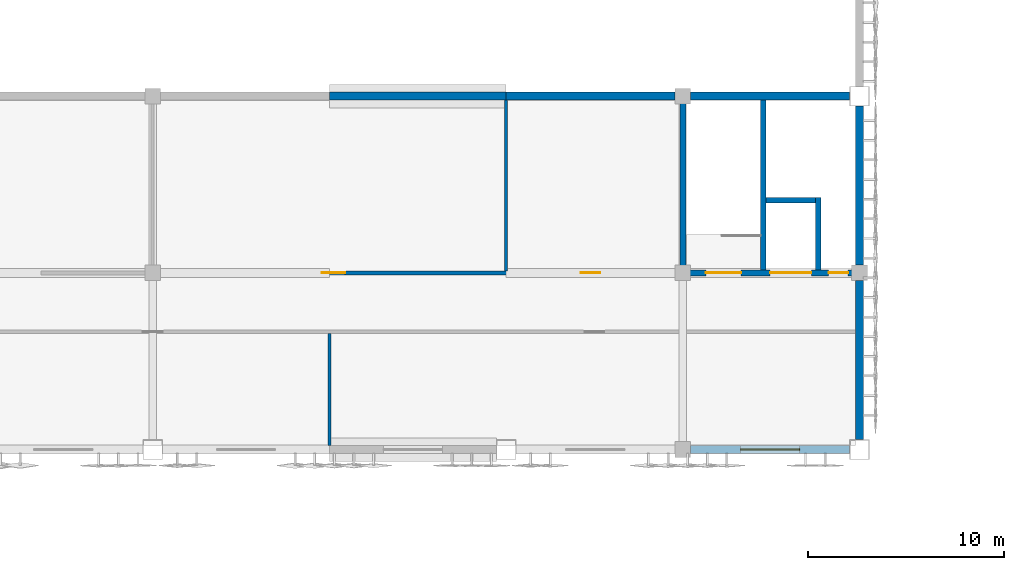
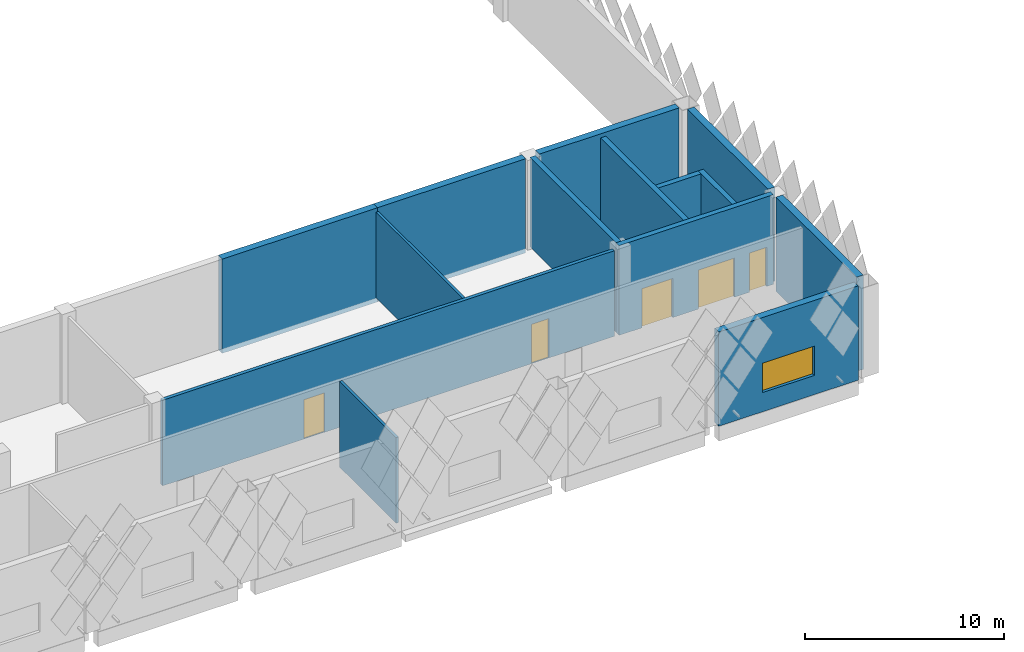
# One storey, part 116 of 185: 14 walls, 5 doors, 1 window, 6 openings.
"""IFC4 building model written with IfcOpenShell, lengths in metres."""

from ifc_helpers import new_model, si_unit, direction, frame, frame_2d, origin, place, context, subcontext, project, spatial, rectangle, extrude, material, layer, layer_set, type_object, element, fill, save


model = new_model("IFC4")

# Units and contexts
model_context = context("Model", 3, precision=1e-05, world=origin(), true_north=direction((0.0, 1.0)))
body_context = subcontext(model_context, "Body", "Model", "MODEL_VIEW")
ifc_project = project(units=[si_unit("LENGTHUNIT", "METRE"), si_unit("AREAUNIT", "SQUARE_METRE"), si_unit("VOLUMEUNIT", "CUBIC_METRE"), si_unit("PLANEANGLEUNIT", "RADIAN"), si_unit("MASSUNIT", "GRAM", prefix="KILO")], contexts=[model_context])

# Site, building, storey
site_placement = place(None, origin())
site = spatial("IfcSite", under=ifc_project, at=site_placement, CompositionType="ELEMENT")
building_placement = place(site_placement, origin())
building = spatial("IfcBuilding", under=site, at=building_placement, Name="Opaline Strait Convention Centre", CompositionType="ELEMENT")
storey_placement = place(building_placement, frame((0.0, 0.0, 6.0)))
storey = spatial("IfcBuildingStorey", under=building, at=storey_placement, Name="L01", CompositionType="ELEMENT", Elevation=6.0)

# Wall, opening, window
ifc_material_1 = material(Name="Concrete C40", Category="concrete")
ifc_layer_1 = layer(ifc_material_1, 0.25)
ifc_material_2 = material(Name="Mineral wool insulation")
ifc_layer_2 = layer(ifc_material_2, 0.10009765625)
ifc_material_3 = material(Name="Gypsum board lining")
ifc_layer_3 = layer(ifc_material_3, 0.050048828125)
ifc_layer_set_1 = layer_set([ifc_layer_1, ifc_layer_2, ifc_layer_3], Name="Concrete C40, Mineral wool insulation, Gypsum board lining")
wall_type_1 = type_object("IfcWallType", Name="External wall RC 400 insulated", PredefinedType="SOLIDWALL", material=ifc_layer_set_1)
wall_1_placement = place(storey_placement, frame((252.39990234375, 54.0, -0.280029296875), z_axis=(0.0, 0.0, 1.0), x_axis=(1.0, 0.0, 0.0)))
wall_1 = element("IfcWall", 1, at=wall_1_placement, inside=storey, type_object=wall_type_1, Name="External wall S18", PredefinedType="SOLIDWALL", context=body_context, shape_type="SweptSolid", body=[
    extrude(rectangle(XDim=8.10009765625, YDim=0.39990234375, at=frame_2d((4.050048828125, 0.0))), origin(), (0.0, 0.0, 1.0), 5.780029296875),
])
opening_1_placement = place(wall_1_placement, frame((2.550048828125, 0.0, 1.179931640625)))
opening_1 = element("IfcOpeningElement", 2, at=opening_1_placement, cuts=wall_1, Name="Opening XWN2", PredefinedType="OPENING", context=body_context, shape_type="SweptSolid", body=[
    extrude(rectangle(XDim=3.0, YDim=1.800048828125, at=frame_2d((1.5, 0.89990234375))), frame((0.0, 0.2099609375, 0.0), z_axis=(0.0, -1.0, 0.0), x_axis=(1.0, 0.0, 0.0)), (0.0, 0.0, 1.0), 0.419921875),
])
ifc_material_4 = material(Name="Double glazed unit low emissivity", Category="glass")
window_type = type_object("IfcWindowType", Name="Strip window 3000 x 1800", PartitioningType="TRIPLE_PANEL_VERTICAL", PredefinedType="WINDOW", material=ifc_material_4)
window_placement = place(opening_1_placement, origin())
window = element("IfcWindow", 3, at=window_placement, inside=storey, type_object=window_type, Name="Strip window 18", OverallHeight=1.800048828125, OverallWidth=3.0, PartitioningType="TRIPLE_PANEL_VERTICAL", PredefinedType="WINDOW", context=body_context, shape_type="SweptSolid", body=[
    extrude(rectangle(XDim=3.0, YDim=1.800048828125, at=frame_2d((1.5, 0.89990234375))), frame((0.0, 0.030029296875, 0.0), z_axis=(0.0, -1.0, 0.0), x_axis=(1.0, 0.0, 0.0)), (0.0, 0.0, 1.0), 0.06005859375),
])
fill(opening_1, window)

# Walls
wall_2_placement = place(storey_placement, frame((261.0, 54.5, -0.280029296875), z_axis=(0.0, 0.0, 1.0), x_axis=(0.0, 1.0, 0.0)))
element("IfcWall", 4, at=wall_2_placement, inside=storey, type_object=wall_type_1, Name="External wall E1", PredefinedType="SOLIDWALL", context=body_context, shape_type="SweptSolid", body=[
    extrude(rectangle(XDim=8.10009765625, YDim=0.39990234375, at=frame_2d((4.050048828125, 0.0))), origin(), (0.0, 0.0, 1.0), 5.780029296875),
])
ifc_layer_4 = layer(ifc_material_1, 0.300048828125)
ifc_layer_5 = layer(ifc_material_2, 0.050048828125)
ifc_layer_6 = layer(ifc_material_3, 0.050048828125)
ifc_layer_set_2 = layer_set([ifc_layer_4, ifc_layer_5, ifc_layer_6], Name="Concrete C40, Mineral wool insulation, Gypsum board lining")
wall_type_2 = type_object("IfcWallType", Name="External wall RC 400 stair core", PredefinedType="SOLIDWALL", material=ifc_layer_set_2)
wall_3_placement = place(storey_placement, frame((261.0, 63.39990234375, -0.280029296875), z_axis=(0.0, 0.0, 1.0), x_axis=(0.0, 1.0, 0.0)))
element("IfcWall", 5, at=wall_3_placement, inside=storey, type_object=wall_type_2, Name="External wall E2", PredefinedType="SOLIDWALL", context=body_context, shape_type="SweptSolid", body=[
    extrude(rectangle(XDim=8.10009765625, YDim=0.39990234375, at=frame_2d((4.050048828125, 0.0))), origin(), (0.0, 0.0, 1.0), 5.780029296875),
])
ifc_layer_7 = layer(ifc_material_1, 0.300048828125)
ifc_material_5 = material(Name="Cement plaster")
ifc_layer_8 = layer(ifc_material_5, 0.050048828125)
ifc_layer_9 = layer(ifc_material_5, 0.050048828125)
ifc_layer_set_3 = layer_set([ifc_layer_7, ifc_layer_8, ifc_layer_9], Name="Concrete C40, Cement plaster, Cement plaster")
wall_type_3 = type_object("IfcWallType", Name="Hall compartment wall 400", PredefinedType="SOLIDWALL", material=ifc_layer_set_3)
wall_4_placement = place(storey_placement, frame((234.0, 72.0, -0.280029296875), z_axis=(0.0, 0.0, 1.0), x_axis=(1.0, 0.0, 0.0)))
element("IfcWall", 6, at=wall_4_placement, inside=storey, type_object=wall_type_3, Name="Hall south wall", PredefinedType="SOLIDWALL", context=body_context, shape_type="SweptSolid", body=[
    extrude(rectangle(XDim=9.0, YDim=0.39990234375, at=frame_2d((4.5, 0.0))), origin(), (0.0, 0.0, 1.0), 5.780029296875),
])
wall_5_placement = place(storey_placement, frame((243.0, 72.0, -0.280029296875), z_axis=(0.0, 0.0, 1.0), x_axis=(1.0, 0.0, 0.0)))
element("IfcWall", 7, at=wall_5_placement, inside=storey, type_object=wall_type_3, Name="Hall south wall", PredefinedType="SOLIDWALL", context=body_context, shape_type="SweptSolid", body=[
    extrude(rectangle(XDim=8.60009765625, YDim=0.39990234375, at=frame_2d((4.300048828125, 0.0))), origin(), (0.0, 0.0, 1.0), 5.780029296875),
])
wall_6_placement = place(storey_placement, frame((252.39990234375, 72.0, -0.280029296875), z_axis=(0.0, 0.0, 1.0), x_axis=(1.0, 0.0, 0.0)))
element("IfcWall", 8, at=wall_6_placement, inside=storey, type_object=wall_type_3, Name="Hall south wall", PredefinedType="SOLIDWALL", context=body_context, shape_type="SweptSolid", body=[
    extrude(rectangle(XDim=8.10009765625, YDim=0.39990234375, at=frame_2d((4.050048828125, 0.0))), origin(), (0.0, 0.0, 1.0), 5.780029296875),
])
ifc_layer_10 = layer(ifc_material_1, 0.300048828125)
ifc_layer_set_4 = layer_set([ifc_layer_10], Name="Concrete C40")
wall_type_4 = type_object("IfcWallType", Name="Lift shaft wall RC 300 C40", PredefinedType="SHEAR", material=ifc_layer_set_4)
wall_7_placement = place(storey_placement, frame((256.10009765625, 63.14990234375, 0.0), z_axis=(0.0, 0.0, 1.0), x_axis=(0.0, 1.0, 0.0)))
element("IfcWall", 9, at=wall_7_placement, inside=storey, type_object=wall_type_4, Name="EXB-LS-4-W1-L01", PredefinedType="SHEAR", context=body_context, shape_type="SweptSolid", body=[
    extrude(rectangle(XDim=8.650146484375, YDim=0.300048828125, at=frame_2d((4.3251953125, 0.0))), origin(), (0.0, 0.0, 1.0), 5.25),
])
wall_8_placement = place(storey_placement, frame((258.89990234375, 63.14990234375, 0.0), z_axis=(0.0, 0.0, 1.0), x_axis=(0.0, 1.0, 0.0)))
element("IfcWall", 10, at=wall_8_placement, inside=storey, type_object=wall_type_4, Name="EXB-LS-4-W2-L01", PredefinedType="SHEAR", context=body_context, shape_type="SweptSolid", body=[
    extrude(rectangle(XDim=3.7001953125, YDim=0.300048828125, at=frame_2d((1.85009765625, 0.0))), origin(), (0.0, 0.0, 1.0), 5.25),
])
wall_9_placement = place(storey_placement, frame((256.25, 66.699951171875, 0.0), z_axis=(0.0, 0.0, 1.0), x_axis=(1.0, 0.0, 0.0)))
element("IfcWall", 11, at=wall_9_placement, inside=storey, type_object=wall_type_4, Name="EXB-LS-4-N-L01", PredefinedType="SHEAR", context=body_context, shape_type="SweptSolid", body=[
    extrude(rectangle(XDim=2.5, YDim=0.300048828125, at=frame_2d((1.25, 0.0))), origin(), (0.0, 0.0, 1.0), 5.25),
])
ifc_material_6 = material(Name="Lightweight blockwork", Category="masonry")
ifc_layer_11 = layer(ifc_material_6, 0.14990234375)
ifc_layer_set_5 = layer_set([ifc_layer_11], Name="Lightweight blockwork")
wall_type_5 = type_object("IfcWallType", Name="Partition EI 45 blockwork 150", PredefinedType="PARTITIONING", material=ifc_layer_set_5)
wall_10_placement = place(storey_placement, frame((234.0, 54.199951171875, 0.0), z_axis=(0.0, 0.0, 1.0), x_axis=(0.0, 1.0, 0.0)))
element("IfcWall", 12, at=wall_10_placement, inside=storey, type_object=wall_type_5, Name="Mezzanine room partition", PredefinedType="PARTITIONING", context=body_context, shape_type="SweptSolid", body=[
    extrude(rectangle(XDim=5.699951171875, YDim=0.14990234375, at=frame_2d((2.85009765625, 0.0))), origin(), (0.0, 0.0, 1.0), 5.25),
])
wall_11_placement = place(storey_placement, frame((243.0, 63.10009765625, 0.0), z_axis=(0.0, 0.0, 1.0), x_axis=(0.0, 1.0, 0.0)))
element("IfcWall", 13, at=wall_11_placement, inside=storey, type_object=wall_type_5, Name="Mezzanine back row partition", PredefinedType="PARTITIONING", context=body_context, shape_type="SweptSolid", body=[
    extrude(rectangle(XDim=8.699951171875, YDim=0.14990234375, at=frame_2d((4.35009765625, 0.0))), origin(), (0.0, 0.0, 1.0), 5.25),
])

# Wall, openings, doors
ifc_layer_12 = layer(ifc_material_6, 0.199951171875)
ifc_layer_set_6 = layer_set([ifc_layer_12], Name="Lightweight blockwork")
wall_type_6 = type_object("IfcWallType", Name="Partition EI 60 blockwork 200", PredefinedType="PARTITIONING", material=ifc_layer_set_6)
wall_12_placement = place(storey_placement, frame((225.39990234375, 63.0, 0.0), z_axis=(0.0, 0.0, 1.0), x_axis=(1.0, 0.0, 0.0)))
wall_12 = element("IfcWall", 14, at=wall_12_placement, inside=storey, type_object=wall_type_6, Name="Mezzanine corridor north wall", PredefinedType="PARTITIONING", context=body_context, shape_type="SweptSolid", body=[
    extrude(rectangle(XDim=26.2001953125, YDim=0.199951171875, at=frame_2d((13.10009765625, 0.0))), origin(), (0.0, 0.0, 1.0), 5.25),
])
opening_2_placement = place(wall_12_placement, frame((8.199951171875, 0.0, 0.014892578125)))
opening_2 = element("IfcOpeningElement", 15, at=opening_2_placement, cuts=wall_12, Name="Opening X1-027", PredefinedType="OPENING", context=body_context, shape_type="SweptSolid", body=[
    extrude(rectangle(XDim=1.199951171875, YDim=2.39990234375, at=frame_2d((0.60009765625, 1.199951171875))), frame((0.0, 0.10986328125, 0.0), z_axis=(0.0, -1.0, 0.0), x_axis=(1.0, 0.0, 0.0)), (0.0, 0.0, 1.0), 0.219970703125),
])
opening_3_placement = place(wall_12_placement, frame((21.39990234375, 0.0, 0.014892578125)))
opening_3 = element("IfcOpeningElement", 16, at=opening_3_placement, cuts=wall_12, Name="Opening X1-028", PredefinedType="OPENING", context=body_context, shape_type="SweptSolid", body=[
    extrude(rectangle(XDim=1.0, YDim=2.39990234375, at=frame_2d((0.5, 1.199951171875))), frame((0.0, 0.10986328125, 0.0), z_axis=(0.0, -1.0, 0.0), x_axis=(1.0, 0.0, 0.0)), (0.0, 0.0, 1.0), 0.219970703125),
])
ifc_material_7 = material(Name="Steel Q235B", Category="steel")
door_type_1 = type_object("IfcDoorType", Name="Plant door FD60 1200 x 2400", OperationType="SINGLE_SWING_LEFT", PredefinedType="DOOR", material=ifc_material_7)
door_1_placement = place(opening_2_placement, origin())
door_1 = element("IfcDoor", 17, at=door_1_placement, inside=storey, type_object=door_type_1, Name="Hall Air-handling Plant 1.19 door", ObjectType="XD9", OperationType="SINGLE_SWING_LEFT", OverallHeight=2.39990234375, OverallWidth=1.199951171875, PredefinedType="DOOR", context=body_context, shape_type="SweptSolid", body=[
    extrude(rectangle(XDim=1.199951171875, YDim=2.39990234375, at=frame_2d((0.60009765625, 1.199951171875))), frame((0.0, 0.02490234375, 0.0), z_axis=(0.0, -1.0, 0.0), x_axis=(1.0, 0.0, 0.0)), (0.0, 0.0, 1.0), 0.050048828125),
])
fill(opening_2, door_1)
door_type_2 = type_object("IfcDoorType", Name="Single door FD30 1000 x 2400", OperationType="SINGLE_SWING_LEFT", PredefinedType="DOOR", material=ifc_material_7)
door_2_placement = place(opening_3_placement, origin())
door_2 = element("IfcDoor", 18, at=door_2_placement, inside=storey, type_object=door_type_2, Name="Store 1.20 door", ObjectType="XD8", OperationType="SINGLE_SWING_RIGHT", OverallHeight=2.39990234375, OverallWidth=1.0, PredefinedType="DOOR", context=body_context, shape_type="SweptSolid", body=[
    extrude(rectangle(XDim=1.0, YDim=2.39990234375, at=frame_2d((0.5, 1.199951171875))), frame((0.0, 0.02490234375, 0.0), z_axis=(0.0, -1.0, 0.0), x_axis=(1.0, 0.0, 0.0)), (0.0, 0.0, 1.0), 0.050048828125),
])
fill(opening_3, door_2)

ifc_layer_13 = layer(ifc_material_1, 0.300048828125)
ifc_layer_set_7 = layer_set([ifc_layer_13], Name="Concrete C40")
wall_type_7 = type_object("IfcWallType", Name="RC core wall 300 C40", PredefinedType="SHEAR", material=ifc_layer_set_7)
wall_13_placement = place(storey_placement, frame((251.85009765625, 63.0, 0.0), z_axis=(0.0, 0.0, 1.0), x_axis=(1.0, 0.0, 0.0)))
wall_13 = element("IfcWall", 19, at=wall_13_placement, inside=storey, type_object=wall_type_7, Name="Core 4 wall S", PredefinedType="SHEAR", context=body_context, shape_type="SweptSolid", body=[
    extrude(rectangle(XDim=8.949951171875, YDim=0.300048828125, at=frame_2d((4.47509765625, 0.0))), origin(), (0.0, 0.0, 1.0), 5.5),
])
opening_4_placement = place(wall_13_placement, frame((1.324951171875, 0.0, 0.0)))
opening_4 = element("IfcOpeningElement", 20, at=opening_4_placement, cuts=wall_13, Name="Opening X1-007", PredefinedType="OPENING", context=body_context, shape_type="SweptSolid", body=[
    extrude(rectangle(XDim=1.800048828125, YDim=2.39990234375, at=frame_2d((0.89990234375, 1.199951171875))), frame((0.0, 0.159912109375, 0.0), z_axis=(0.0, -1.0, 0.0), x_axis=(1.0, 0.0, 0.0)), (0.0, 0.0, 1.0), 0.320068359375),
])
opening_5_placement = place(wall_13_placement, frame((4.60009765625, 0.0, 0.0)))
opening_5 = element("IfcOpeningElement", 21, at=opening_5_placement, cuts=wall_13, Name="Opening XLD4-1", PredefinedType="OPENING", context=body_context, shape_type="SweptSolid", body=[
    extrude(rectangle(XDim=2.10009765625, YDim=2.39990234375, at=frame_2d((1.050048828125, 1.199951171875))), frame((0.0, 0.159912109375, 0.0), z_axis=(0.0, -1.0, 0.0), x_axis=(1.0, 0.0, 0.0)), (0.0, 0.0, 1.0), 0.320068359375),
])
opening_6_placement = place(wall_13_placement, frame((7.574951171875, 0.0, 0.0)))
opening_6 = element("IfcOpeningElement", 22, at=opening_6_placement, cuts=wall_13, Name="Opening X1-008", PredefinedType="OPENING", context=body_context, shape_type="SweptSolid", body=[
    extrude(rectangle(XDim=1.0, YDim=2.39990234375, at=frame_2d((0.5, 1.199951171875))), frame((0.0, 0.159912109375, 0.0), z_axis=(0.0, -1.0, 0.0), x_axis=(1.0, 0.0, 0.0)), (0.0, 0.0, 1.0), 0.320068359375),
])
ifc_material_8 = material(Name="Stainless steel 304", Category="steel")
door_type_3 = type_object("IfcDoorType", Name="Lift landing door 2100 x 2400", OperationType="DOUBLE_DOOR_SLIDING", PredefinedType="DOOR", material=ifc_material_8)
door_3_placement = place(opening_5_placement, origin())
door_3 = element("IfcDoor", 23, at=door_3_placement, inside=storey, type_object=door_type_3, Name="Goods lift 4 landing door L01", ObjectType="XLD", OperationType="DOUBLE_DOOR_SLIDING", OverallHeight=2.39990234375, OverallWidth=2.10009765625, PredefinedType="DOOR", context=body_context, shape_type="SweptSolid", body=[
    extrude(rectangle(XDim=2.10009765625, YDim=2.39990234375, at=frame_2d((1.050048828125, 1.199951171875))), frame((0.0, 0.02490234375, 0.0), z_axis=(0.0, -1.0, 0.0), x_axis=(1.0, 0.0, 0.0)), (0.0, 0.0, 1.0), 0.050048828125),
])
fill(opening_5, door_3)
door_4_placement = place(opening_6_placement, origin())
door_4 = element("IfcDoor", 24, at=door_4_placement, inside=storey, type_object=door_type_2, Name="Services riser 4 door L01", ObjectType="XD8", OperationType="SINGLE_SWING_RIGHT", OverallHeight=2.39990234375, OverallWidth=1.0, PredefinedType="DOOR", context=body_context, shape_type="SweptSolid", body=[
    extrude(rectangle(XDim=1.0, YDim=2.39990234375, at=frame_2d((0.5, 1.199951171875))), frame((0.0, 0.02490234375, 0.0), z_axis=(0.0, -1.0, 0.0), x_axis=(1.0, 0.0, 0.0)), (0.0, 0.0, 1.0), 0.050048828125),
])
fill(opening_6, door_4)
door_type_4 = type_object("IfcDoorType", Name="Stair door pair FD60 1800 x 2400", OperationType="DOUBLE_DOOR_SINGLE_SWING", PredefinedType="DOOR", material=ifc_material_7)
door_5_placement = place(opening_4_placement, frame((1.800048828125, 0.0, 0.0), z_axis=(0.0, 0.0, 1.0), x_axis=(-1.0, 0.0, 0.0)))
door_5 = element("IfcDoor", 25, at=door_5_placement, inside=storey, type_object=door_type_4, Name="Stair 4 door L01", ObjectType="XD7", OperationType="DOUBLE_DOOR_SINGLE_SWING", OverallHeight=2.39990234375, OverallWidth=1.800048828125, PredefinedType="DOOR", context=body_context, shape_type="SweptSolid", body=[
    extrude(rectangle(XDim=1.800048828125, YDim=2.39990234375, at=frame_2d((0.89990234375, 1.199951171875))), frame((0.0, 0.02490234375, 0.0), z_axis=(0.0, -1.0, 0.0), x_axis=(1.0, 0.0, 0.0)), (0.0, 0.0, 1.0), 0.050048828125),
])
fill(opening_4, door_5)

# Wall
wall_14_placement = place(storey_placement, frame((252.0, 63.14990234375, 0.0), z_axis=(0.0, 0.0, 1.0), x_axis=(0.0, 1.0, 0.0)))
element("IfcWall", 26, at=wall_14_placement, inside=storey, type_object=wall_type_7, Name="Core 4 wall W", PredefinedType="SHEAR", context=body_context, shape_type="SweptSolid", body=[
    extrude(rectangle(XDim=8.650146484375, YDim=0.300048828125, at=frame_2d((4.3251953125, 0.0))), origin(), (0.0, 0.0, 1.0), 5.5),
])

save(model, "model.ifc")
